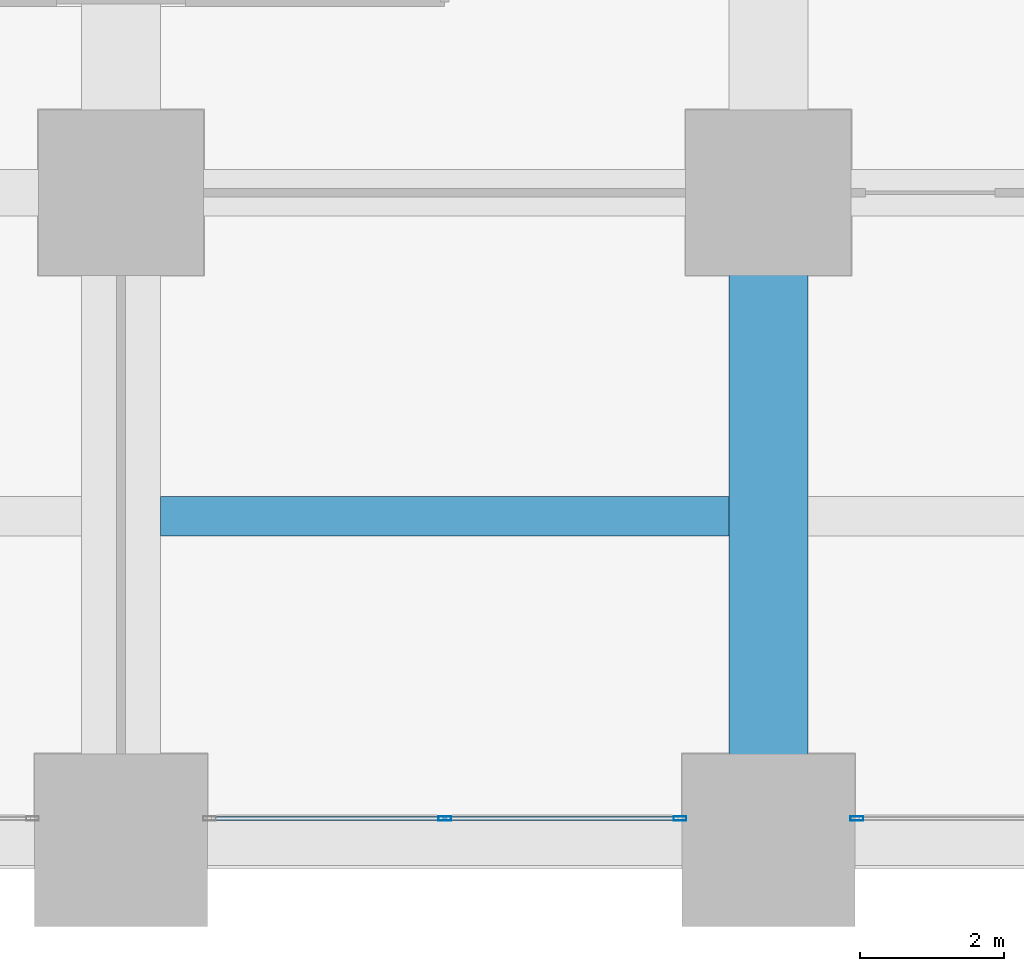
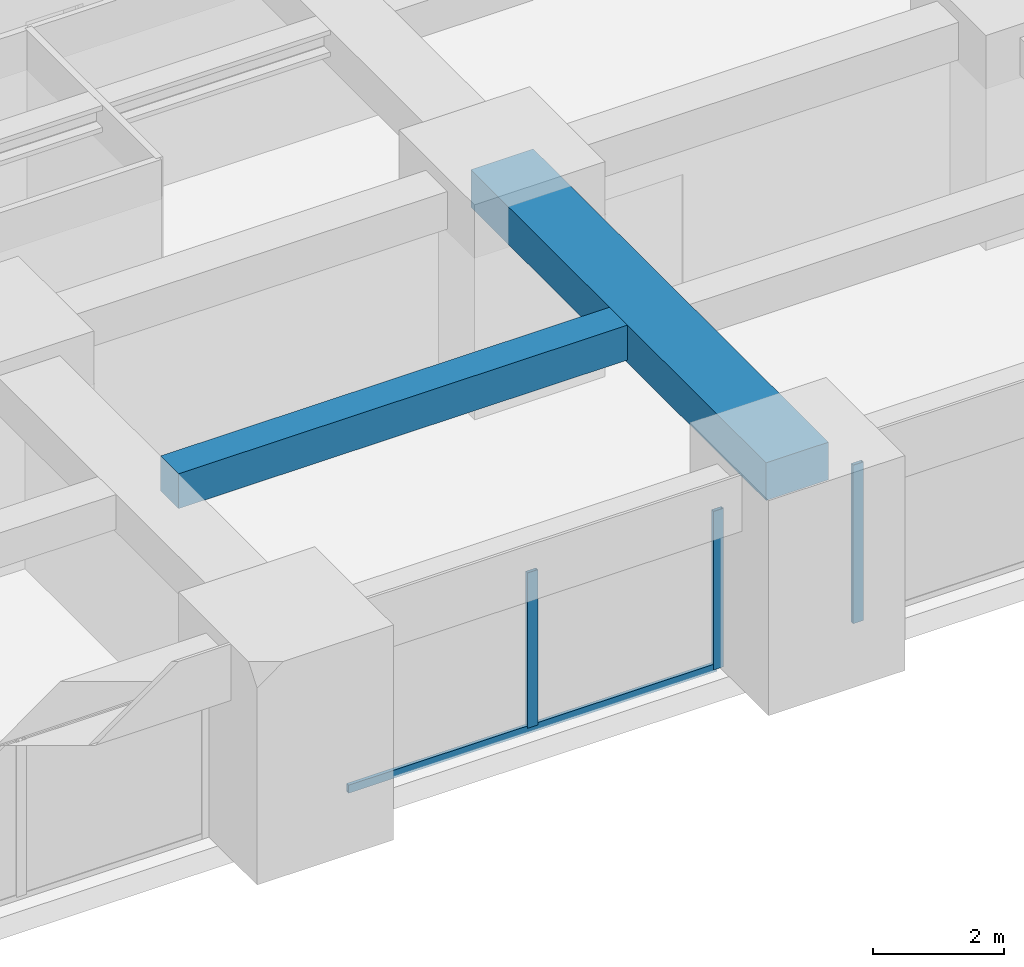
# One storey, part 12 of 38: 4 members, 2 beams, 2 elements without a shape of their own.
"""IFC4 building model written with IfcOpenShell, lengths in metres."""

from ifc_helpers import new_model, si_unit, direction, frame, origin, origin_2d, place, context, subcontext, project, spatial, rectangle, hollow_rectangle, extrude, material, material_profile, profile_set, type_object, element, aggregate, save


model = new_model("IFC4")

# Units and contexts
model_context = context("Model", 3, precision=1e-05, world=origin(), true_north=direction((0.0, 1.0)))
body_context = subcontext(model_context, "Body", "Model", "MODEL_VIEW")
ifc_project = project(units=[si_unit("LENGTHUNIT", "METRE"), si_unit("AREAUNIT", "SQUARE_METRE"), si_unit("VOLUMEUNIT", "CUBIC_METRE"), si_unit("PLANEANGLEUNIT", "RADIAN"), si_unit("MASSUNIT", "GRAM", prefix="KILO")], contexts=[model_context])

# Site, building, storey
site_placement = place(None, origin())
site = spatial("IfcSite", under=ifc_project, at=site_placement, CompositionType="ELEMENT")
building_placement = place(site_placement, origin())
building = spatial("IfcBuilding", under=site, at=building_placement, Name="Zorevar Civic Tower", CompositionType="ELEMENT")
storey_placement = place(building_placement, frame((0.0, 0.0, 15.800048828125)))
storey = spatial("IfcBuildingStorey", under=building, at=storey_placement, Name="L03", CompositionType="ELEMENT", Elevation=15.800048828125)

# Beams
ifc_material_1 = material(Name="Concrete C50/60", Category="concrete")
ifc_material_profile_1 = material_profile(ifc_material_1, rectangle(XDim=1.10009765625, YDim=0.699951171875, at=origin_2d()), Name="RC 1100x700")
ifc_profile_set_1 = profile_set([ifc_material_profile_1], Name="Concrete C50/60")
beam_type_1 = type_object("IfcBeamType", Name="Beam RC 1100x700", PredefinedType="BEAM", material=ifc_profile_set_1)
beam_1_placement = place(storey_placement, frame((45.0, 0.0, 3.39990234375), z_axis=(0.0, 1.0, 0.0), x_axis=(-1.0, 0.0, 0.0)))
element("IfcBeam", 1, at=beam_1_placement, inside=storey, type_object=beam_type_1, Name="Girder L04", PredefinedType="BEAM", context=body_context, shape_type="SweptSolid", body=[
    extrude(rectangle(XDim=1.10009765625, YDim=0.699951171875, at=origin_2d()), origin(), (0.0, 0.0, 1.0), 9.0),
])
ifc_material_2 = material(Name="Concrete C50/60", Category="concrete")
ifc_material_profile_2 = material_profile(ifc_material_2, rectangle(XDim=0.550048828125, YDim=0.64990234375, at=origin_2d()), Name="RC 550x650")
ifc_profile_set_2 = profile_set([ifc_material_profile_2], Name="Concrete C50/60")
beam_type_2 = type_object("IfcBeamType", Name="Beam RC 550x650", PredefinedType="BEAM", material=ifc_profile_set_2)
beam_2_placement = place(storey_placement, frame((36.550048828125, 4.5, 3.425048828125), z_axis=(1.0, 0.0, 0.0), x_axis=(0.0, 1.0, 0.0)))
element("IfcBeam", 2, at=beam_2_placement, inside=storey, type_object=beam_type_2, Name="Secondary beam L04", PredefinedType="BEAM", context=body_context, shape_type="SweptSolid", body=[
    extrude(rectangle(XDim=0.550048828125, YDim=0.64990234375, at=origin_2d()), origin(), (0.0, 0.0, 1.0), 7.89990234375),
])

# Curtain wall, members
ifc_material_3 = material(Name="Dark grey solar-control glass in black aluminium frame", Category="aluminium")
curtain_wall_type = type_object("IfcCurtainWallType", Name="Curtain wall CW2 low zone", PredefinedType="NOTDEFINED", material=ifc_material_3)
curtain_wall_1_placement = place(storey_placement, origin())
curtain_wall_1 = element("IfcCurtainWall", 3, at=curtain_wall_1_placement, inside=storey, type_object=curtain_wall_type, Name="CW2 L03", PredefinedType="NOTDEFINED")
ifc_material_4 = material(Name="Aluminium, black anodised", Category="aluminium")
ifc_material_profile_3 = material_profile(ifc_material_4, hollow_rectangle(XDim=0.06005859375, YDim=0.179931640625, WallThickness=0.00390625, at=origin_2d()), Name="AL 180x60x4")
ifc_profile_set_3 = profile_set([ifc_material_profile_3], Name="Aluminium, black anodised")
member_type_1 = type_object("IfcMemberType", Name="CW2 mullion AL 180x60x4", PredefinedType="MULLION", material=ifc_profile_set_3)
member_1_placement = place(storey_placement, frame((40.5, 0.300048828125, 0.06005859375), z_axis=(0.0, 0.0, 1.0), x_axis=(0.0, 1.0, 0.0)))
member_1 = element("IfcMember", 4, at=member_1_placement, type_object=member_type_1, Name="CW2 mullion 2", PredefinedType="MULLION", context=body_context, shape_type="SweptSolid", body=[
    extrude(hollow_rectangle(XDim=0.06005859375, YDim=0.179931640625, WallThickness=0.00390625, at=origin_2d()), origin(), (0.0, 0.0, 1.0), 2.889892578125),
])
member_2_placement = place(storey_placement, frame((43.77001953125, 0.300048828125, 0.0), z_axis=(0.0, 0.0, 1.0), x_axis=(0.0, 1.0, 0.0)))
member_2 = element("IfcMember", 5, at=member_2_placement, type_object=member_type_1, Name="CW2 mullion 3", PredefinedType="MULLION", context=body_context, shape_type="SweptSolid", body=[
    extrude(hollow_rectangle(XDim=0.06005859375, YDim=0.179931640625, WallThickness=0.00390625, at=origin_2d()), origin(), (0.0, 0.0, 1.0), 2.949951171875),
])

# Curtain wall, member
curtain_wall_2_placement = place(storey_placement, origin())
curtain_wall_2 = element("IfcCurtainWall", 6, at=curtain_wall_2_placement, inside=storey, type_object=curtain_wall_type, Name="CW2 L03", PredefinedType="NOTDEFINED")
member_3_placement = place(storey_placement, frame((46.22998046875, 0.300048828125, 0.0), z_axis=(0.0, 0.0, 1.0), x_axis=(0.0, 1.0, 0.0)))
member_3 = element("IfcMember", 7, at=member_3_placement, type_object=member_type_1, Name="CW2 mullion 1", PredefinedType="MULLION", context=body_context, shape_type="SweptSolid", body=[
    extrude(hollow_rectangle(XDim=0.06005859375, YDim=0.179931640625, WallThickness=0.00390625, at=origin_2d()), origin(), (0.0, 0.0, 1.0), 2.949951171875),
])
aggregate(curtain_wall_2, [member_3])

# Member
ifc_material_5 = material(Name="Aluminium, black anodised", Category="aluminium")
ifc_material_profile_4 = material_profile(ifc_material_5, hollow_rectangle(XDim=0.06005859375, YDim=0.14990234375, WallThickness=0.00390625, at=origin_2d()), Name="AL 150x60x4")
ifc_profile_set_4 = profile_set([ifc_material_profile_4], Name="Aluminium, black anodised")
member_type_2 = type_object("IfcMemberType", Name="CW2 transom AL 150x60x4", PredefinedType="USERDEFINED", material=ifc_profile_set_4)
member_4_placement = place(storey_placement, frame((37.260009765625, 0.300048828125, 0.030029296875), z_axis=(1.0, 0.0, 0.0), x_axis=(0.0, 1.0, 0.0)))
member_4 = element("IfcMember", 8, at=member_4_placement, type_object=member_type_2, Name="CW2 sill transom", ObjectType="TRANSOM", PredefinedType="USERDEFINED", context=body_context, shape_type="SweptSolid", body=[
    extrude(hollow_rectangle(XDim=0.06005859375, YDim=0.14990234375, WallThickness=0.00390625, at=origin_2d()), origin(), (0.0, 0.0, 1.0), 6.47998046875),
])

aggregate(curtain_wall_1, [member_1, member_2, member_4])

save(model, "model.ifc")
